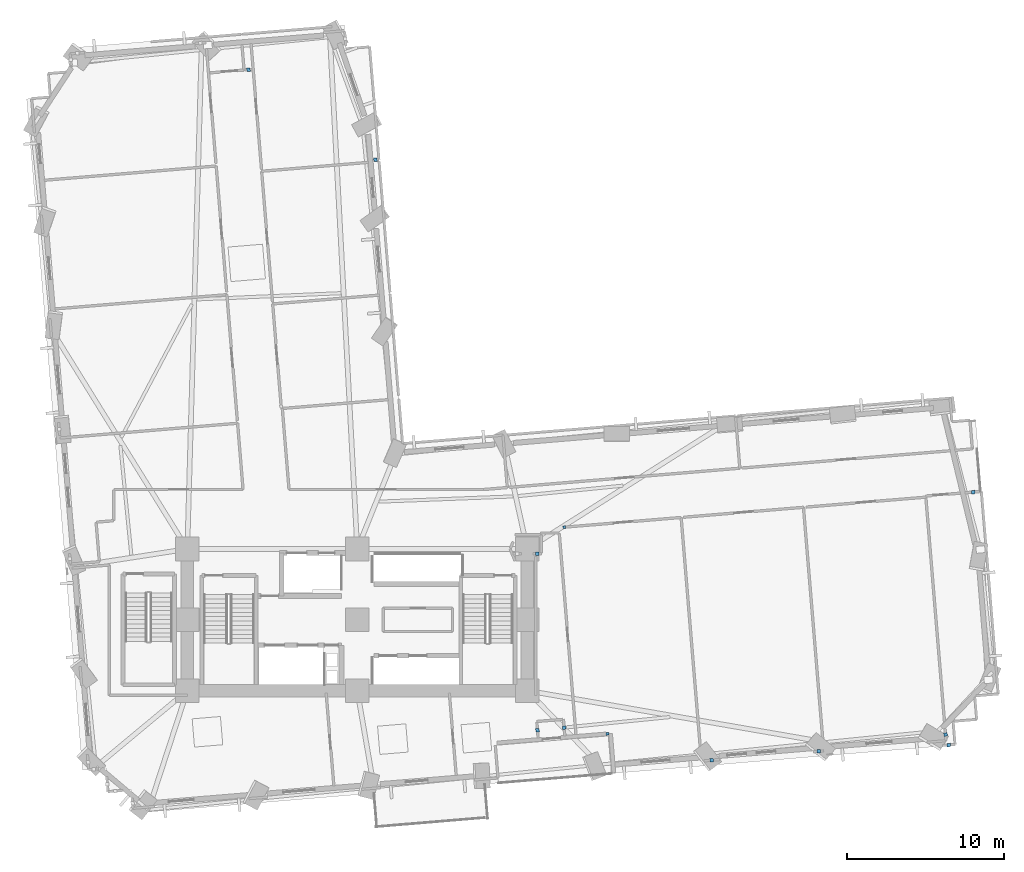
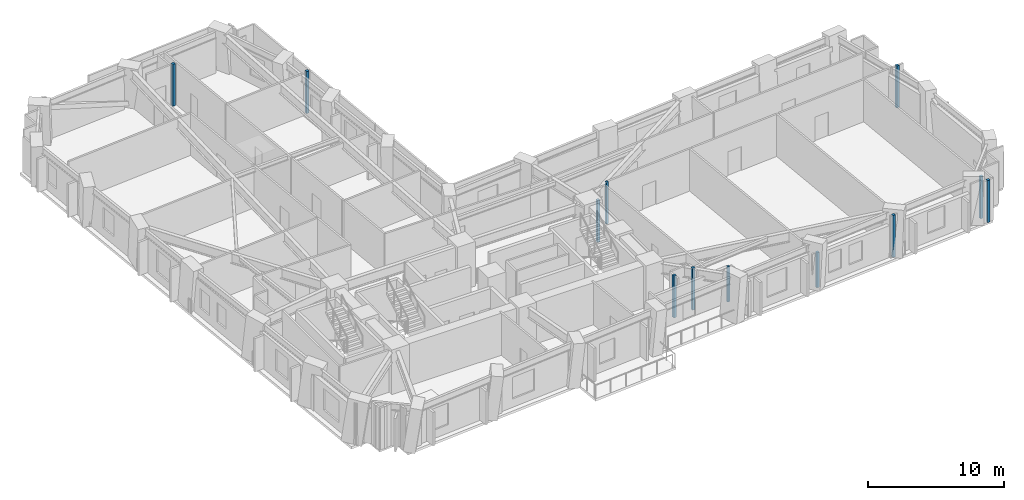
# One storey, part 5 of 14: 12 plates.
"""IFC4 building model written with IfcOpenShell, lengths in metres."""

from ifc_helpers import new_model, si_unit, direction, frame, origin, origin_2d, place, context, subcontext, project, spatial, rectangle, extrude, material, layer, layer_set, type_object, element, save


model = new_model("IFC4")

# Units and contexts
model_context = context("Model", 3, precision=1e-05, world=origin(), true_north=direction((0.0, 1.0)))
body_context = subcontext(model_context, "Body", "Model", "MODEL_VIEW")
ifc_project = project(units=[si_unit("LENGTHUNIT", "METRE"), si_unit("AREAUNIT", "SQUARE_METRE"), si_unit("VOLUMEUNIT", "CUBIC_METRE"), si_unit("PLANEANGLEUNIT", "RADIAN"), si_unit("MASSUNIT", "GRAM", prefix="KILO")], contexts=[model_context])

# Site, building, storey
site_placement = place(None, origin())
site = spatial("IfcSite", under=ifc_project, at=site_placement, CompositionType="ELEMENT")
building_placement = place(site_placement, origin())
building = spatial("IfcBuilding", under=site, at=building_placement, Name="Gaonmaruhae Medical Tower", CompositionType="ELEMENT")
storey_placement = place(building_placement, frame((0.0, 0.0, 43.0)))
storey = spatial("IfcBuildingStorey", under=building, at=storey_placement, Name="L09", CompositionType="ELEMENT", Elevation=43.0)

# Plates
ifc_material = material(Name="Anodised aluminium 6063-T6", Category="aluminium")
ifc_layer = layer(ifc_material, 0.011962890625)
ifc_layer_set = layer_set([ifc_layer], Name="Anodised aluminium 6063-T6")
plate_type = type_object("IfcPlateType", Name="PP-01 Interior Partition Corner Stiffener Plate", PredefinedType="SHEET", material=ifc_layer_set)
plate_1_placement = place(storey_placement, frame((40.694091796875, 5.0595703125, 0.0), z_axis=(0.0, 0.0, 1.0), x_axis=(-0.996565502498, -0.082808207512, 0.0)))
element("IfcPlate", 1, at=plate_1_placement, inside=storey, type_object=plate_type, Name="L09 Partition End Jamb Post Plate PLT-L09-ENDP-TERB-0", PredefinedType="SHEET", context=body_context, shape_type="SweptSolid", body=[
    extrude(rectangle(XDim=0.179931640625, YDim=0.179931640625, at=origin_2d()), origin(), (0.0, 0.0, 1.0), 3.1650390625),
])
plate_2_placement = place(storey_placement, frame((37.9501953125, 18.1875, 0.0), z_axis=(0.0, 0.0, 1.0), x_axis=(0.996559718966, 0.082877780707, 0.0)))
element("IfcPlate", 2, at=plate_2_placement, inside=storey, type_object=plate_type, Name="L09 Partition End Jamb Post Plate PLT-L09-ENDP-PW034-0", PredefinedType="SHEET", context=body_context, shape_type="SweptSolid", body=[
    extrude(rectangle(XDim=0.179931640625, YDim=0.179931640625, at=origin_2d()), origin(), (0.0, 0.0, 1.0), 3.780029296875),
])
for number, where, z_axis, x_axis, name in (
    (3, (36.237548828125, 16.5, 0.0), (0.0, 0.0, 1.0), (1.0, 0.0, 0.0), "L09 Partition Corner Stiffener Plate PLT-L09-JGP-PW024"),
    (4, (37.94189453125, 5.45556640625, 0.0), (0.0, 0.0, 1.0), (-0.083434351698, 0.996513275856, 0.0), "L09 Partition Corner Stiffener Plate PLT-L09-JGP-PW029"),
    (5, (36.25, 5.2900390625, 0.0), (0.0, 0.0, 1.0), (0.083538705866, -0.996504533167, 0.0), "L09 Partition Corner Stiffener Plate PLT-L09-JGP-PW031"),
    (6, (54.114990234375, 3.947509765625, 0.0), (0.0, 0.0, 1.0), (-0.996610160182, -0.082269001592, 0.0), "L09 Partition Corner Stiffener Plate PLT-L09-JGP-PW038"),
):
    element("IfcPlate", number, at=place(storey_placement, frame(where, z_axis=z_axis, x_axis=x_axis)), inside=storey, type_object=plate_type, Name=name, PredefinedType="SHEET", context=body_context, shape_type="SweptSolid", body=[
        extrude(rectangle(XDim=0.219970703125, YDim=0.219970703125, at=origin_2d()), origin(), (0.0, 0.0, 1.0), 3.780029296875),
    ])
plate_3_placement = place(storey_placement, frame((47.3125, 3.382080078125, 0.0), z_axis=(0.0, 0.0, 1.0), x_axis=(-0.996524915775, -0.083295211383, 0.0)))
element("IfcPlate", 7, at=plate_3_placement, inside=storey, type_object=plate_type, Name="L09 Partition Corner Stiffener Plate PLT-L09-JGP-PW039", PredefinedType="SHEET", context=body_context, shape_type="SweptSolid", body=[
    extrude(rectangle(XDim=0.219970703125, YDim=0.219970703125, at=origin_2d()), origin(), (0.0, 0.0, 1.0), 3.14501953125),
])
for number, where, z_axis, x_axis, name in (
    (8, (62.176025390625, 5.013916015625, 0.0), (0.0, 0.0, 1.0), (0.083469136522, -0.99651036284, 0.0), "L09 Partition Corner Stiffener Plate PLT-L09-JGP-PW042"),
    (9, (25.9560546875, 41.52490234375, 0.0), (0.0, 0.0, 1.0), (-0.996620203798, -0.082147242078, 0.0), "L09 Partition Corner Stiffener Plate PLT-L09-JGP-PW090"),
    (10, (17.888427734375, 47.25048828125, 0.0), (0.0, 0.0, 1.0), (-0.998411399248, -0.056344279679, 0.0), "L09 Partition Corner Stiffener Plate PLT-L09-JGP-PW098"),
    (11, (62.382568359375, 4.343017578125, 0.0), (0.0, 0.0, 1.0), (-0.996553930577, -0.082947353498, 0.0), "L09 Partition Corner Stiffener Plate PLT-L09-JGP-PW103"),
    (12, (63.93798828125, 20.4169921875, 0.0), (0.0, 0.0, 1.0), (0.996532180859, 0.083208247862, 0.0), "L09 Partition Corner Stiffener Plate PLT-L09-JGP-PW105"),
):
    element("IfcPlate", number, at=place(storey_placement, frame(where, z_axis=z_axis, x_axis=x_axis)), inside=storey, type_object=plate_type, Name=name, PredefinedType="SHEET", context=body_context, shape_type="SweptSolid", body=[
        extrude(rectangle(XDim=0.219970703125, YDim=0.219970703125, at=origin_2d()), origin(), (0.0, 0.0, 1.0), 3.780029296875),
    ])

save(model, "model.ifc")
